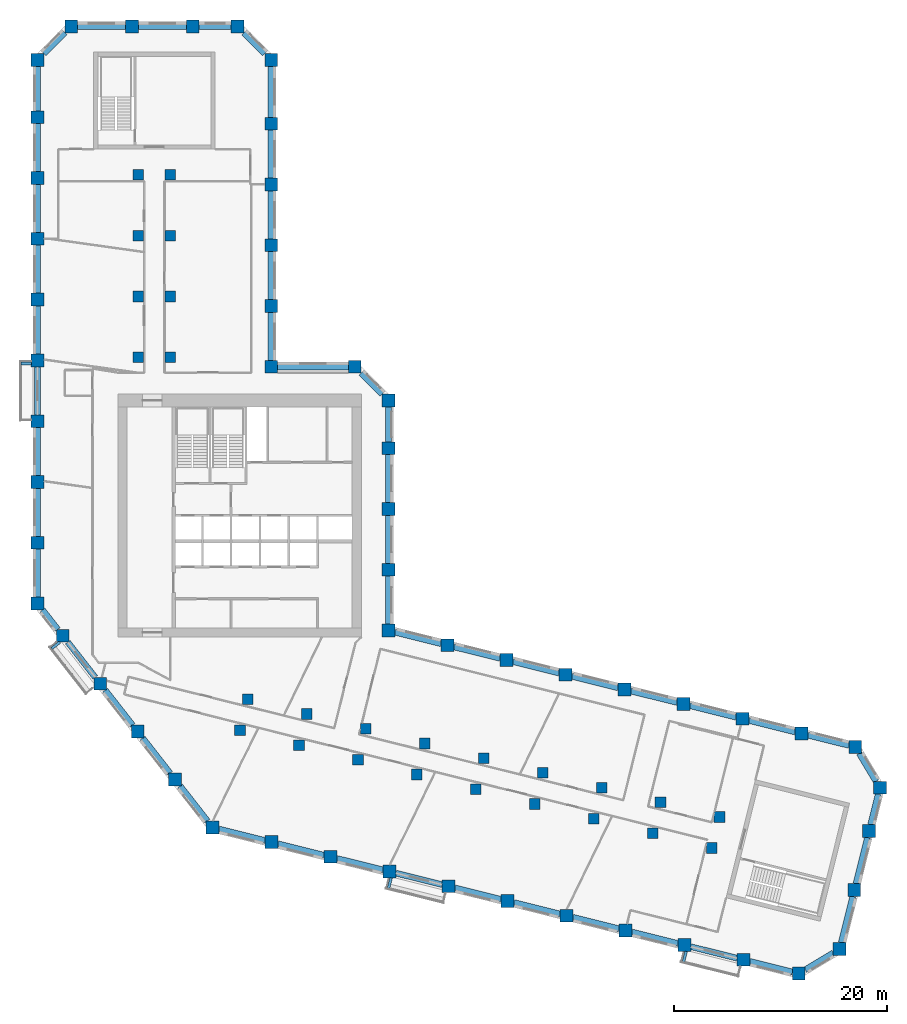
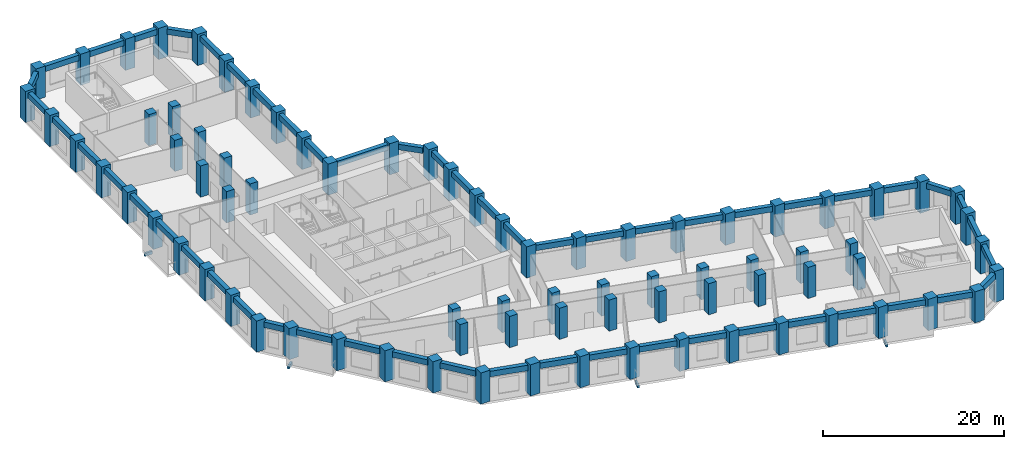
# One storey, part 1 of 10: 79 columns, 57 beams.
"""IFC4 building model written with IfcOpenShell, lengths in metres."""

from ifc_helpers import new_model, si_unit, direction, frame, origin, origin_2d, place, context, subcontext, project, spatial, rectangle, extrude, material, material_profile, profile_set, type_object, element, save


model = new_model("IFC4")

# Units and contexts
model_context = context("Model", 3, precision=1e-05, world=origin(), true_north=direction((0.0, 1.0)))
body_context = subcontext(model_context, "Body", "Model", "MODEL_VIEW")
ifc_project = project(units=[si_unit("LENGTHUNIT", "METRE"), si_unit("AREAUNIT", "SQUARE_METRE"), si_unit("VOLUMEUNIT", "CUBIC_METRE"), si_unit("PLANEANGLEUNIT", "RADIAN"), si_unit("MASSUNIT", "GRAM", prefix="KILO")], contexts=[model_context])

# Site, building, storey
site_placement = place(None, origin())
site = spatial("IfcSite", under=ifc_project, at=site_placement, CompositionType="ELEMENT")
building_placement = place(site_placement, origin())
building = spatial("IfcBuilding", under=site, at=building_placement, Name="Meshkara Civic Tower", CompositionType="ELEMENT")
storey_placement = place(building_placement, frame((0.0, 0.0, 190.800048828125)))
storey = spatial("IfcBuildingStorey", under=building, at=storey_placement, Name="L43", CompositionType="ELEMENT", Elevation=190.800048828125)

# Columns
ifc_material_1 = material(Name="Concrete C70", Category="concrete")
ifc_material_profile_1 = material_profile(ifc_material_1, rectangle(XDim=1.0, YDim=1.0, at=origin_2d()))
ifc_profile_set_1 = profile_set([ifc_material_profile_1], Name="Concrete C70")
column_type_1 = type_object("IfcColumnType", Name="Interior column RC 1000x1000 C70", PredefinedType="COLUMN", material=ifc_profile_set_1)
for number, where, z_axis, x_axis, name in (
    (1, (9.89990234375, 40.35009765625, 0.0), (0.0, 0.0, 1.0), (1.0, 0.0, 0.0), "Column SA1-04 L43"),
    (2, (9.89990234375, 46.050048828125, 0.0), (0.0, 0.0, 1.0), (1.0, 0.0, 0.0), "Column SA1-05 L43"),
    (3, (9.89990234375, 51.75, 0.0), (0.0, 0.0, 1.0), (1.0, 0.0, 0.0), "Column SA1-06 L43"),
    (4, (9.89990234375, 57.449951171875, 0.0), (0.0, 0.0, 1.0), (1.0, 0.0, 0.0), "Column SA1-07 L43"),
    (5, (12.89990234375, 40.35009765625, 0.0), (0.0, 0.0, 1.0), (1.0, 0.0, 0.0), "Column SA2-04 L43"),
    (6, (12.89990234375, 46.050048828125, 0.0), (0.0, 0.0, 1.0), (1.0, 0.0, 0.0), "Column SA2-05 L43"),
    (7, (12.89990234375, 51.75, 0.0), (0.0, 0.0, 1.0), (1.0, 0.0, 0.0), "Column SA2-06 L43"),
    (8, (12.89990234375, 57.449951171875, 0.0), (0.0, 0.0, 1.0), (1.0, 0.0, 0.0), "Column SA2-07 L43"),
    (9, (19.424072265625, 5.360107421875, 0.0), (0.0, 0.0, 1.0), (1.0, 0.0, 0.0), "Column SB1-00 L43"),
    (10, (24.9541015625, 3.98095703125, 0.0), (0.0, 0.0, 1.0), (1.0, 0.0, 0.0), "Column SB1-01 L43"),
    (11, (30.485107421875, 2.60205078125, 0.0), (0.0, 0.0, 1.0), (1.0, 0.0, 0.0), "Column SB1-02 L43"),
    (12, (36.01611328125, 1.222900390625, 0.0), (0.0, 0.0, 1.0), (1.0, 0.0, 0.0), "Column SB1-03 L43"),
    (13, (41.5458984375, -0.156005859375, 0.0), (0.0, 0.0, 1.0), (1.0, 0.0, 0.0), "Column SB1-04 L43"),
    (14, (47.076904296875, -1.534912109375, 0.0), (0.0, 0.0, 1.0), (1.0, 0.0, 0.0), "Column SB1-05 L43"),
    (15, (52.60791015625, -2.9140625, 0.0), (0.0, 0.0, 1.0), (1.0, 0.0, 0.0), "Column SB1-06 L43"),
    (16, (58.138916015625, -4.2919921875, 0.0), (0.0, 0.0, 1.0), (1.0, 0.0, 0.0), "Column SB1-07 L43"),
    (17, (63.6689453125, -5.6708984375, 0.0), (0.0, 0.0, 1.0), (1.0, 0.0, 0.0), "Column SB1-08 L43"),
    (18, (20.14892578125, 8.27099609375, 0.0), (0.0, 0.0, 1.0), (1.0, 0.0, 0.0), "Column SB2-00 L43"),
    (19, (25.679931640625, 6.89208984375, 0.0), (0.0, 0.0, 1.0), (1.0, 0.0, 0.0), "Column SB2-01 L43"),
    (20, (31.2109375, 5.512939453125, 0.0), (0.0, 0.0, 1.0), (1.0, 0.0, 0.0), "Column SB2-02 L43"),
    (21, (36.741943359375, 4.134033203125, 0.0), (0.0, 0.0, 1.0), (1.0, 0.0, 0.0), "Column SB2-03 L43"),
    (22, (42.27197265625, 2.7548828125, 0.0), (0.0, 0.0, 1.0), (1.0, 0.0, 0.0), "Column SB2-04 L43"),
    (23, (47.802978515625, 1.3759765625, 0.0), (0.0, 0.0, 1.0), (1.0, 0.0, 0.0), "Column SB2-05 L43"),
    (24, (53.333984375, -0.0029296875, 0.0), (0.0, 0.0, 1.0), (1.0, 0.0, 0.0), "Column SB2-06 L43"),
    (25, (58.864013671875, -1.382080078125, 0.0), (0.0, 0.0, 1.0), (1.0, 0.0, 0.0), "Column SB2-07 L43"),
    (26, (64.39501953125, -2.760986328125, 0.0), (0.0, 0.0, 1.0), (1.0, 0.0, 0.0), "Column SB2-08 L43"),
):
    element("IfcColumn", number, at=place(storey_placement, frame(where, z_axis=z_axis, x_axis=x_axis)), inside=storey, type_object=column_type_1, Name=name, PredefinedType="COLUMN", context=body_context, shape_type="SweptSolid", body=[
        extrude(rectangle(XDim=1.0, YDim=1.0, at=origin_2d()), origin(), (0.0, 0.0, 1.0), 4.199951171875),
    ])
ifc_material_2 = material(Name="Concrete C70", Category="concrete")
ifc_material_profile_2 = material_profile(ifc_material_2, rectangle(XDim=1.199951171875, YDim=1.199951171875, at=origin_2d()))
ifc_profile_set_2 = profile_set([ifc_material_profile_2], Name="Concrete C70")
column_type_2 = type_object("IfcColumnType", Name="Perimeter column RC 1200x1200 C70", PredefinedType="COLUMN", material=ifc_profile_set_2)
for number, where, z_axis, x_axis, name in (
    (27, (33.35009765625, 14.718994140625, 0.0), (0.0, 0.0, 1.0), (1.0, 0.0, 0.0), "Column HE00 L43"),
    (28, (33.35009765625, 20.4189453125, 0.0), (0.0, 0.0, 1.0), (1.0, 0.0, 0.0), "Column HE01 L43"),
    (29, (33.35009765625, 26.118896484375, 0.0), (0.0, 0.0, 1.0), (1.0, 0.0, 0.0), "Column HE02 L43"),
    (30, (33.35009765625, 31.819091796875, 0.0), (0.0, 0.0, 1.0), (1.0, 0.0, 0.0), "Column HE03 L43"),
    (31, (33.35009765625, 36.2939453125, 0.0), (0.0, 0.0, 1.0), (1.0, 0.0, 0.0), "Column HEE L43"),
    (32, (30.194091796875, 39.449951171875, 0.0), (0.0, 0.0, 1.0), (1.0, 0.0, 0.0), "Column HCeE L43"),
    (33, (22.35009765625, 39.449951171875, 0.0), (0.0, 0.0, 1.0), (1.0, 0.0, 0.0), "Column HN00 L43"),
    (34, (22.35009765625, 45.14990234375, 0.0), (0.0, 0.0, 1.0), (1.0, 0.0, 0.0), "Column AE01 L43"),
    (35, (22.35009765625, 50.85009765625, 0.0), (0.0, 0.0, 1.0), (1.0, 0.0, 0.0), "Column AE02 L43"),
    (36, (22.35009765625, 56.550048828125, 0.0), (0.0, 0.0, 1.0), (1.0, 0.0, 0.0), "Column AE03 L43"),
    (37, (22.35009765625, 62.25, 0.0), (0.0, 0.0, 1.0), (1.0, 0.0, 0.0), "Column AE04 L43"),
    (38, (22.35009765625, 68.214111328125, 0.0), (0.0, 0.0, 1.0), (1.0, 0.0, 0.0), "Column AEEP2 L43"),
    (39, (19.194091796875, 71.3701171875, 0.0), (0.0, 0.0, 1.0), (1.0, 0.0, 0.0), "Column ATiEP2 L43"),
    (40, (3.60595703125, 71.3701171875, 0.0), (0.0, 0.0, 1.0), (1.0, 0.0, 0.0), "Column AT00-P2 L43"),
    (41, (9.305908203125, 71.3701171875, 0.0), (0.0, 0.0, 1.0), (1.0, 0.0, 0.0), "Column AT01-P2 L43"),
    (42, (15.006103515625, 71.3701171875, 0.0), (0.0, 0.0, 1.0), (1.0, 0.0, 0.0), "Column AT02-P2 L43"),
    (43, (0.449951171875, 68.214111328125, 0.0), (0.0, 0.0, 1.0), (1.0, 0.0, 0.0), "Column ATo00-P2 L43"),
    (44, (0.449951171875, 17.2548828125, 0.0), (0.0, 0.0, 1.0), (1.0, 0.0, 0.0), "Column AW00 L43"),
    (45, (0.449951171875, 22.955078125, 0.0), (0.0, 0.0, 1.0), (1.0, 0.0, 0.0), "Column AW01 L43"),
    (46, (0.449951171875, 28.655029296875, 0.0), (0.0, 0.0, 1.0), (1.0, 0.0, 0.0), "Column AW02 L43"),
    (47, (0.449951171875, 34.35498046875, 0.0), (0.0, 0.0, 1.0), (1.0, 0.0, 0.0), "Column AW03 L43"),
    (48, (0.449951171875, 40.054931640625, 0.0), (0.0, 0.0, 1.0), (1.0, 0.0, 0.0), "Column AW04 L43"),
    (49, (0.449951171875, 45.7548828125, 0.0), (0.0, 0.0, 1.0), (1.0, 0.0, 0.0), "Column AW05 L43"),
    (50, (0.449951171875, 51.455078125, 0.0), (0.0, 0.0, 1.0), (1.0, 0.0, 0.0), "Column AW06 L43"),
    (51, (0.449951171875, 57.155029296875, 0.0), (0.0, 0.0, 1.0), (1.0, 0.0, 0.0), "Column AW07 L43"),
    (52, (0.449951171875, 62.85498046875, 0.0), (0.0, 0.0, 1.0), (1.0, 0.0, 0.0), "Column AW08 L43"),
    (53, (16.85107421875, -3.738037109375, 0.0), (0.0, 0.0, 1.0), (1.0, 0.0, 0.0), "Column BOW00 L43"),
    (54, (13.342041015625, 0.75390625, 0.0), (0.0, 0.0, 1.0), (1.0, 0.0, 0.0), "Column BOW01 L43"),
    (55, (9.8330078125, 5.2451171875, 0.0), (0.0, 0.0, 1.0), (1.0, 0.0, 0.0), "Column BOW02 L43"),
    (56, (6.322998046875, 9.737060546875, 0.0), (0.0, 0.0, 1.0), (1.0, 0.0, 0.0), "Column BOW03 L43"),
    (57, (2.81396484375, 14.22900390625, 0.0), (0.0, 0.0, 1.0), (1.0, 0.0, 0.0), "Column BOW04 L43"),
    (58, (22.382080078125, -5.116943359375, 0.0), (0.0, 0.0, 1.0), (1.0, 0.0, 0.0), "Column BS01 L43"),
    (59, (27.912109375, -6.49609375, 0.0), (0.0, 0.0, 1.0), (1.0, 0.0, 0.0), "Column BS02 L43"),
    (60, (33.443115234375, -7.875, 0.0), (0.0, 0.0, 1.0), (1.0, 0.0, 0.0), "Column BS03 L43"),
    (61, (38.97412109375, -9.2529296875, 0.0), (0.0, 0.0, 1.0), (1.0, 0.0, 0.0), "Column BS04-P1 L43"),
    (62, (44.5048828125, -10.632080078125, 0.0), (0.0, 0.0, 1.0), (1.0, 0.0, 0.0), "Column BS05 L43"),
    (63, (50.034912109375, -12.010986328125, 0.0), (0.0, 0.0, 1.0), (1.0, 0.0, 0.0), "Column BS06 L43"),
    (64, (55.56591796875, -13.389892578125, 0.0), (0.0, 0.0, 1.0), (1.0, 0.0, 0.0), "Column BS07 L43"),
    (65, (61.096923828125, -14.76904296875, 0.0), (0.0, 0.0, 1.0), (1.0, 0.0, 0.0), "Column BS08 L43"),
    (66, (66.626953125, -16.14794921875, 0.0), (0.0, 0.0, 1.0), (1.0, 0.0, 0.0), "Column BS09 L43"),
    (67, (71.826904296875, -17.444091796875, 0.0), (0.0, 0.0, 1.0), (1.0, 0.0, 0.0), "Column BSEP2 L43"),
    (68, (75.653076171875, -15.14501953125, 0.0), (0.0, 0.0, 1.0), (1.0, 0.0, 0.0), "Column BToEP2 L43"),
    (69, (77.031982421875, -9.614013671875, 0.0), (0.0, 0.0, 1.0), (1.0, 0.0, 0.0), "Column BT01-P2 L43"),
    (70, (78.410888671875, -4.083984375, 0.0), (0.0, 0.0, 1.0), (1.0, 0.0, 0.0), "Column BT02-P2 L43"),
    (71, (79.424072265625, -0.02099609375, 0.0), (0.0, 0.0, 1.0), (1.0, 0.0, 0.0), "Column BTEP2 L43"),
    (72, (77.125, 3.803955078125, 0.0), (0.0, 0.0, 1.0), (1.0, 0.0, 0.0), "Column BTi00-P2 L43"),
    (73, (38.881103515625, 13.340087890625, 0.0), (0.0, 0.0, 1.0), (1.0, 0.0, 0.0), "Column BN01 L43"),
    (74, (44.410888671875, 11.9609375, 0.0), (0.0, 0.0, 1.0), (1.0, 0.0, 0.0), "Column BN02 L43"),
    (75, (49.94189453125, 10.58203125, 0.0), (0.0, 0.0, 1.0), (1.0, 0.0, 0.0), "Column BN03 L43"),
    (76, (55.472900390625, 9.202880859375, 0.0), (0.0, 0.0, 1.0), (1.0, 0.0, 0.0), "Column BN04 L43"),
    (77, (61.0029296875, 7.823974609375, 0.0), (0.0, 0.0, 1.0), (1.0, 0.0, 0.0), "Column BN05 L43"),
    (78, (66.533935546875, 6.445068359375, 0.0), (0.0, 0.0, 1.0), (1.0, 0.0, 0.0), "Column BN06 L43"),
    (79, (72.06494140625, 5.06591796875, 0.0), (0.0, 0.0, 1.0), (1.0, 0.0, 0.0), "Column BN07 L43"),
):
    element("IfcColumn", number, at=place(storey_placement, frame(where, z_axis=z_axis, x_axis=x_axis)), inside=storey, type_object=column_type_2, Name=name, PredefinedType="COLUMN", context=body_context, shape_type="SweptSolid", body=[
        extrude(rectangle(XDim=1.199951171875, YDim=1.199951171875, at=origin_2d()), origin(), (0.0, 0.0, 1.0), 4.199951171875),
    ])

# Beams
ifc_material_3 = material(Name="Concrete C50", Category="concrete")
ifc_material_profile_3 = material_profile(ifc_material_3, rectangle(XDim=0.25, YDim=0.39990234375, at=origin_2d()))
ifc_profile_set_3 = profile_set([ifc_material_profile_3], Name="Concrete C50")
beam_type_1 = type_object("IfcBeamType", Name="Balcony bracket beam RC 250x400 C50", PredefinedType="BEAM", material=ifc_profile_set_3)
beam_1_placement = place(storey_placement, frame((-0.14501953125, 39.7548828125, -0.5), z_axis=(-1.0, 0.0, 0.0), x_axis=(0.0, -1.0, 0.0)))
element("IfcBeam", 80, at=beam_1_placement, inside=storey, type_object=beam_type_1, Name="Balcony bracket beam", PredefinedType="BEAM", context=body_context, shape_type="SweptSolid", body=[
    extrude(rectangle(XDim=0.25, YDim=0.39990234375, at=origin_2d()), origin(), (0.0, 0.0, 1.0), 0.955078125),
])
beam_2_placement = place(storey_placement, frame((2.537109375, 13.632080078125, -0.5), z_axis=(-0.787905405849, -0.615796290533, 0.0), x_axis=(0.615796290533, -0.787905405849, 0.0)))
element("IfcBeam", 81, at=beam_2_placement, inside=storey, type_object=beam_type_1, Name="Balcony bracket beam", PredefinedType="BEAM", context=body_context, shape_type="SweptSolid", body=[
    extrude(rectangle(XDim=0.25, YDim=0.39990234375, at=origin_2d()), origin(), (0.0, 0.0, 1.0), 0.964599609375),
])
beam_3_placement = place(storey_placement, frame((33.60400390625, -8.469970703125, -0.5), z_axis=(-0.242421996939, -0.9701709001, 0.0), x_axis=(0.9701709001, -0.242421996939, 0.0)))
element("IfcBeam", 82, at=beam_3_placement, inside=storey, type_object=beam_type_1, Name="Balcony bracket beam", PredefinedType="BEAM", context=body_context, shape_type="SweptSolid", body=[
    extrude(rectangle(XDim=0.25, YDim=0.39990234375, at=origin_2d()), origin(), (0.0, 0.0, 1.0), 1.01123046875),
])
beam_4_placement = place(storey_placement, frame((61.258056640625, -15.364013671875, -0.5), z_axis=(-0.24219504991, -0.970227580416, 0.0), x_axis=(0.970227580416, -0.24219504991, 0.0)))
element("IfcBeam", 83, at=beam_4_placement, inside=storey, type_object=beam_type_1, Name="Balcony bracket beam", PredefinedType="BEAM", context=body_context, shape_type="SweptSolid", body=[
    extrude(rectangle(XDim=0.25, YDim=0.39990234375, at=origin_2d()), origin(), (0.0, 0.0, 1.0), 1.011962890625),
])
ifc_material_4 = material(Name="Concrete C60", Category="concrete")
ifc_material_profile_4 = material_profile(ifc_material_4, rectangle(XDim=0.550048828125, YDim=0.75, at=origin_2d()))
ifc_profile_set_4 = profile_set([ifc_material_profile_4], Name="Concrete C60")
beam_type_2 = type_object("IfcBeamType", Name="Spandrel beam RC 550x750 C60", PredefinedType="BEAM", material=ifc_profile_set_4)
for number, where, z_axis, x_axis, name in (
    (84, (71.469970703125, 5.21435546875, 3.52490234375), (-0.970296390995, 0.241919229543, 0.0), (-0.241919229543, -0.970296390995, 0.0), "Spandrel beam BN06-BN07"),
    (85, (65.93896484375, 6.593505859375, 3.52490234375), (-0.970309199754, 0.241867850018, 0.0), (-0.241867850018, -0.970309199754, 0.0), "Spandrel beam BN05-BN06"),
):
    element("IfcBeam", number, at=place(storey_placement, frame(where, z_axis=z_axis, x_axis=x_axis)), inside=storey, type_object=beam_type_2, Name=name, PredefinedType="BEAM", context=body_context, shape_type="SweptSolid", body=[
        extrude(rectangle(XDim=0.550048828125, YDim=0.75, at=origin_2d()), origin(), (0.0, 0.0, 1.0), 4.4736328125),
    ])
beam_5_placement = place(storey_placement, frame((60.407958984375, 7.972412109375, 3.52490234375), z_axis=(-0.970283611566, 0.241970479865, 0.0), x_axis=(-0.241970479865, -0.970283611566, 0.0)))
element("IfcBeam", 86, at=beam_5_placement, inside=storey, type_object=beam_type_2, Name="Spandrel beam BN04-BN05", PredefinedType="BEAM", context=body_context, shape_type="SweptSolid", body=[
    extrude(rectangle(XDim=0.550048828125, YDim=0.75, at=origin_2d()), origin(), (0.0, 0.0, 1.0), 4.47265625),
])
for number, where, z_axis, x_axis, name in (
    (87, (54.8779296875, 9.351318359375, 3.52490234375), (-0.970296390995, 0.241919229543, 0.0), (-0.241919229543, -0.970296390995, 0.0), "Spandrel beam BN03-BN04"),
    (88, (49.346923828125, 10.73046875, 3.52490234375), (-0.970309199754, 0.241867850018, 0.0), (-0.241867850018, -0.970309199754, 0.0), "Spandrel beam BN02-BN03"),
):
    element("IfcBeam", number, at=place(storey_placement, frame(where, z_axis=z_axis, x_axis=x_axis)), inside=storey, type_object=beam_type_2, Name=name, PredefinedType="BEAM", context=body_context, shape_type="SweptSolid", body=[
        extrude(rectangle(XDim=0.550048828125, YDim=0.75, at=origin_2d()), origin(), (0.0, 0.0, 1.0), 4.4736328125),
    ])
beam_6_placement = place(storey_placement, frame((43.81591796875, 12.109375, 3.52490234375), z_axis=(-0.970283611566, 0.241970479865, 0.0), x_axis=(-0.241970479865, -0.970283611566, 0.0)))
element("IfcBeam", 89, at=beam_6_placement, inside=storey, type_object=beam_type_2, Name="Spandrel beam BN01-BN02", PredefinedType="BEAM", context=body_context, shape_type="SweptSolid", body=[
    extrude(rectangle(XDim=0.550048828125, YDim=0.75, at=origin_2d()), origin(), (0.0, 0.0, 1.0), 4.47265625),
])
beam_7_placement = place(storey_placement, frame((38.285888671875, 13.48828125, 3.52490234375), z_axis=(-0.970296390995, 0.241919229543, 0.0), x_axis=(-0.241919229543, -0.970296390995, 0.0)))
element("IfcBeam", 90, at=beam_7_placement, inside=storey, type_object=beam_type_2, Name="Spandrel beam BN01-HE00", PredefinedType="BEAM", context=body_context, shape_type="SweptSolid", body=[
    extrude(rectangle(XDim=0.550048828125, YDim=0.75, at=origin_2d()), origin(), (0.0, 0.0, 1.0), 4.4736328125),
])
for number, where, z_axis, x_axis, name in (
    (91, (33.35009765625, 15.31396484375, 3.52490234375), (0.0, 1.0, 0.0), (-1.0, 0.0, 0.0), "Spandrel beam HE00-HE01"),
    (92, (33.35009765625, 21.013916015625, 3.52490234375), (0.0, 1.0, 0.0), (-1.0, 0.0, 0.0), "Spandrel beam HE01-HE02"),
    (93, (33.35009765625, 26.714111328125, 3.52490234375), (0.0, 1.0, 0.0), (-1.0, 0.0, 0.0), "Spandrel beam HE02-HE03"),
):
    element("IfcBeam", number, at=place(storey_placement, frame(where, z_axis=z_axis, x_axis=x_axis)), inside=storey, type_object=beam_type_2, Name=name, PredefinedType="BEAM", context=body_context, shape_type="SweptSolid", body=[
        extrude(rectangle(XDim=0.550048828125, YDim=0.75, at=origin_2d()), origin(), (0.0, 0.0, 1.0), 4.510009765625),
    ])
beam_8_placement = place(storey_placement, frame((33.35009765625, 32.4140625, 3.52490234375), z_axis=(0.0, 1.0, 0.0), x_axis=(-1.0, 0.0, 0.0)))
element("IfcBeam", 94, at=beam_8_placement, inside=storey, type_object=beam_type_2, Name="Spandrel beam HE03-HEE", PredefinedType="BEAM", context=body_context, shape_type="SweptSolid", body=[
    extrude(rectangle(XDim=0.550048828125, YDim=0.75, at=origin_2d()), origin(), (0.0, 0.0, 1.0), 3.284912109375),
])
beam_9_placement = place(storey_placement, frame((32.75341796875, 36.890380859375, 3.52490234375), z_axis=(-0.707062808252, 0.707150751387, 0.0), x_axis=(-0.707150751387, -0.707062808252, 0.0)))
element("IfcBeam", 95, at=beam_9_placement, inside=storey, type_object=beam_type_2, Name="Spandrel beam HCeE-HEE", PredefinedType="BEAM", context=body_context, shape_type="SweptSolid", body=[
    extrude(rectangle(XDim=0.550048828125, YDim=0.75, at=origin_2d()), origin(), (0.0, 0.0, 1.0), 2.776123046875),
])
beam_10_placement = place(storey_placement, frame((29.59912109375, 39.449951171875, 3.52490234375), z_axis=(-1.0, 0.0, 0.0), x_axis=(0.0, -1.0, 0.0)))
element("IfcBeam", 96, at=beam_10_placement, inside=storey, type_object=beam_type_2, Name="Spandrel beam HCeE-HN00", PredefinedType="BEAM", context=body_context, shape_type="SweptSolid", body=[
    extrude(rectangle(XDim=0.550048828125, YDim=0.75, at=origin_2d()), origin(), (0.0, 0.0, 1.0), 6.654052734375),
])
beam_11_placement = place(storey_placement, frame((22.35009765625, 40.044921875, 3.52490234375), z_axis=(0.0, 1.0, 0.0), x_axis=(-1.0, 0.0, 0.0)))
element("IfcBeam", 97, at=beam_11_placement, inside=storey, type_object=beam_type_2, Name="Spandrel beam AE01-HN00", PredefinedType="BEAM", context=body_context, shape_type="SweptSolid", body=[
    extrude(rectangle(XDim=0.550048828125, YDim=0.75, at=origin_2d()), origin(), (0.0, 0.0, 1.0), 4.510009765625),
])
beam_12_placement = place(storey_placement, frame((22.35009765625, 45.7451171875, 3.52490234375), z_axis=(0.0, 1.0, 0.0), x_axis=(-1.0, 0.0, 0.0)))
element("IfcBeam", 98, at=beam_12_placement, inside=storey, type_object=beam_type_2, Name="Spandrel beam AE01-AE02", PredefinedType="BEAM", context=body_context, shape_type="SweptSolid", body=[
    extrude(rectangle(XDim=0.550048828125, YDim=0.75, at=origin_2d()), origin(), (0.0, 0.0, 1.0), 4.509765625),
])
for number, where, z_axis, x_axis, name in (
    (99, (22.35009765625, 51.445068359375, 3.52490234375), (0.0, 1.0, 0.0), (-1.0, 0.0, 0.0), "Spandrel beam AE02-AE03"),
    (100, (22.35009765625, 57.14501953125, 3.52490234375), (0.0, 1.0, 0.0), (-1.0, 0.0, 0.0), "Spandrel beam AE03-AE04"),
):
    element("IfcBeam", number, at=place(storey_placement, frame(where, z_axis=z_axis, x_axis=x_axis)), inside=storey, type_object=beam_type_2, Name=name, PredefinedType="BEAM", context=body_context, shape_type="SweptSolid", body=[
        extrude(rectangle(XDim=0.550048828125, YDim=0.75, at=origin_2d()), origin(), (0.0, 0.0, 1.0), 4.510009765625),
    ])
beam_13_placement = place(storey_placement, frame((22.35009765625, 62.844970703125, 3.52490234375), z_axis=(0.0, 1.0, 0.0), x_axis=(-1.0, 0.0, 0.0)))
element("IfcBeam", 101, at=beam_13_placement, inside=storey, type_object=beam_type_2, Name="Spandrel beam AE04-AEEP2", PredefinedType="BEAM", context=body_context, shape_type="SweptSolid", body=[
    extrude(rectangle(XDim=0.550048828125, YDim=0.75, at=origin_2d()), origin(), (0.0, 0.0, 1.0), 4.77392578125),
])
beam_14_placement = place(storey_placement, frame((21.75341796875, 68.810546875, 3.52490234375), z_axis=(-0.707106781187, 0.707106781187, 0.0), x_axis=(-0.707106781187, -0.707106781187, 0.0)))
element("IfcBeam", 102, at=beam_14_placement, inside=storey, type_object=beam_type_2, Name="Spandrel beam AEEP2-ATiEP2", PredefinedType="BEAM", context=body_context, shape_type="SweptSolid", body=[
    extrude(rectangle(XDim=0.550048828125, YDim=0.75, at=origin_2d()), origin(), (0.0, 0.0, 1.0), 2.77587890625),
])
beam_15_placement = place(storey_placement, frame((18.59912109375, 71.3701171875, 3.52490234375), z_axis=(-1.0, 0.0, 0.0), x_axis=(0.0, -1.0, 0.0)))
element("IfcBeam", 103, at=beam_15_placement, inside=storey, type_object=beam_type_2, Name="Spandrel beam AT02-P2-ATiEP2", PredefinedType="BEAM", context=body_context, shape_type="SweptSolid", body=[
    extrude(rectangle(XDim=0.550048828125, YDim=0.75, at=origin_2d()), origin(), (0.0, 0.0, 1.0), 2.998046875),
])
for number, where, z_axis, x_axis, name in (
    (104, (14.410888671875, 71.3701171875, 3.52490234375), (-1.0, 0.0, 0.0), (0.0, -1.0, 0.0), "Spandrel beam AT01-P2-AT02-P2"),
    (105, (8.7109375, 71.3701171875, 3.52490234375), (-1.0, 0.0, 0.0), (0.0, -1.0, 0.0), "Spandrel beam AT00-P2-AT01-P2"),
):
    element("IfcBeam", number, at=place(storey_placement, frame(where, z_axis=z_axis, x_axis=x_axis)), inside=storey, type_object=beam_type_2, Name=name, PredefinedType="BEAM", context=body_context, shape_type="SweptSolid", body=[
        extrude(rectangle(XDim=0.550048828125, YDim=0.75, at=origin_2d()), origin(), (0.0, 0.0, 1.0), 4.510009765625),
    ])
beam_16_placement = place(storey_placement, frame((3.009521484375, 70.7734375, 3.52490234375), z_axis=(-0.707150751387, -0.707062808252, 0.0), x_axis=(0.707062808252, -0.707150751387, 0.0)))
element("IfcBeam", 106, at=beam_16_placement, inside=storey, type_object=beam_type_2, Name="Spandrel beam AT00-P2-ATo00-P2", PredefinedType="BEAM", context=body_context, shape_type="SweptSolid", body=[
    extrude(rectangle(XDim=0.550048828125, YDim=0.75, at=origin_2d()), origin(), (0.0, 0.0, 1.0), 2.776123046875),
])
beam_17_placement = place(storey_placement, frame((0.449951171875, 67.618896484375, 3.52490234375), z_axis=(0.0, -1.0, 0.0), x_axis=(1.0, 0.0, 0.0)))
element("IfcBeam", 107, at=beam_17_placement, inside=storey, type_object=beam_type_2, Name="Spandrel beam ATo00-P2-AW08", PredefinedType="BEAM", context=body_context, shape_type="SweptSolid", body=[
    extrude(rectangle(XDim=0.550048828125, YDim=0.75, at=origin_2d()), origin(), (0.0, 0.0, 1.0), 4.1689453125),
])
for number, where, z_axis, x_axis, name in (
    (108, (0.449951171875, 62.260009765625, 3.52490234375), (0.0, -1.0, 0.0), (1.0, 0.0, 0.0), "Spandrel beam AW07-AW08"),
    (109, (0.449951171875, 56.56005859375, 3.52490234375), (0.0, -1.0, 0.0), (1.0, 0.0, 0.0), "Spandrel beam AW06-AW07"),
    (110, (0.449951171875, 50.860107421875, 3.52490234375), (0.0, -1.0, 0.0), (1.0, 0.0, 0.0), "Spandrel beam AW05-AW06"),
    (111, (0.449951171875, 45.159912109375, 3.52490234375), (0.0, -1.0, 0.0), (1.0, 0.0, 0.0), "Spandrel beam AW04-AW05"),
    (112, (0.449951171875, 39.4599609375, 3.52490234375), (0.0, -1.0, 0.0), (1.0, 0.0, 0.0), "Spandrel beam AW03-AW04"),
    (113, (0.449951171875, 33.760009765625, 3.52490234375), (0.0, -1.0, 0.0), (1.0, 0.0, 0.0), "Spandrel beam AW02-AW03"),
    (114, (0.449951171875, 28.06005859375, 3.52490234375), (0.0, -1.0, 0.0), (1.0, 0.0, 0.0), "Spandrel beam AW01-AW02"),
    (115, (0.449951171875, 22.360107421875, 3.52490234375), (0.0, -1.0, 0.0), (1.0, 0.0, 0.0), "Spandrel beam AW00-AW01"),
):
    element("IfcBeam", number, at=place(storey_placement, frame(where, z_axis=z_axis, x_axis=x_axis)), inside=storey, type_object=beam_type_2, Name=name, PredefinedType="BEAM", context=body_context, shape_type="SweptSolid", body=[
        extrude(rectangle(XDim=0.550048828125, YDim=0.75, at=origin_2d()), origin(), (0.0, 0.0, 1.0), 4.510009765625),
    ])
beam_18_placement = place(storey_placement, frame((0.915771484375, 16.658935546875, 3.52490234375), z_axis=(0.615646077935, -0.788022783124, 0.0), x_axis=(0.788022783124, 0.615646077935, 0.0)))
element("IfcBeam", 116, at=beam_18_placement, inside=storey, type_object=beam_type_2, Name="Spandrel beam AW00-BOW04", PredefinedType="BEAM", context=body_context, shape_type="SweptSolid", body=[
    extrude(rectangle(XDim=0.550048828125, YDim=0.75, at=origin_2d()), origin(), (0.0, 0.0, 1.0), 2.326904296875),
])
beam_19_placement = place(storey_placement, frame((3.279541015625, 13.6328125, 3.52490234375), z_axis=(0.615630464754, -0.788034980738, 0.0), x_axis=(0.788034980738, 0.615630464754, 0.0)))
element("IfcBeam", 117, at=beam_19_placement, inside=storey, type_object=beam_type_2, Name="Spandrel beam BOW03-BOW04", PredefinedType="BEAM", context=body_context, shape_type="SweptSolid", body=[
    extrude(rectangle(XDim=0.550048828125, YDim=0.75, at=origin_2d()), origin(), (0.0, 0.0, 1.0), 4.1875),
])
beam_20_placement = place(storey_placement, frame((6.788818359375, 9.140869140625, 3.52490234375), z_axis=(0.61570287025, -0.787978410596, 0.0), x_axis=(0.787978410596, 0.61570287025, 0.0)))
element("IfcBeam", 118, at=beam_20_placement, inside=storey, type_object=beam_type_2, Name="Spandrel beam BOW02-BOW03", PredefinedType="BEAM", context=body_context, shape_type="SweptSolid", body=[
    extrude(rectangle(XDim=0.550048828125, YDim=0.75, at=origin_2d()), origin(), (0.0, 0.0, 1.0), 4.187744140625),
])
beam_21_placement = place(storey_placement, frame((10.298583984375, 4.64892578125, 3.52490234375), z_axis=(0.615707413829, -0.787974860358, 0.0), x_axis=(0.787974860358, 0.615707413829, 0.0)))
element("IfcBeam", 119, at=beam_21_placement, inside=storey, type_object=beam_type_2, Name="Spandrel beam BOW01-BOW02", PredefinedType="BEAM", context=body_context, shape_type="SweptSolid", body=[
    extrude(rectangle(XDim=0.550048828125, YDim=0.75, at=origin_2d()), origin(), (0.0, 0.0, 1.0), 4.1865234375),
])
beam_22_placement = place(storey_placement, frame((13.8076171875, 0.157958984375, 3.52490234375), z_axis=(0.615630464754, -0.788034980738, 0.0), x_axis=(0.788034980738, 0.615630464754, 0.0)))
element("IfcBeam", 120, at=beam_22_placement, inside=storey, type_object=beam_type_2, Name="Spandrel beam BOW00-BOW01", PredefinedType="BEAM", context=body_context, shape_type="SweptSolid", body=[
    extrude(rectangle(XDim=0.550048828125, YDim=0.75, at=origin_2d()), origin(), (0.0, 0.0, 1.0), 4.1875),
])
beam_23_placement = place(storey_placement, frame((17.446044921875, -3.886474609375, 3.52490234375), z_axis=(0.970309199754, -0.241867850018, 0.0), x_axis=(0.241867850018, 0.970309199754, 0.0)))
element("IfcBeam", 121, at=beam_23_placement, inside=storey, type_object=beam_type_2, Name="Spandrel beam BOW00-BS01", PredefinedType="BEAM", context=body_context, shape_type="SweptSolid", body=[
    extrude(rectangle(XDim=0.550048828125, YDim=0.75, at=origin_2d()), origin(), (0.0, 0.0, 1.0), 4.4736328125),
])
beam_24_placement = place(storey_placement, frame((22.97705078125, -5.265380859375, 3.52490234375), z_axis=(0.970283611566, -0.241970479865, 0.0), x_axis=(0.241970479865, 0.970283611566, 0.0)))
element("IfcBeam", 122, at=beam_24_placement, inside=storey, type_object=beam_type_2, Name="Spandrel beam BS01-BS02", PredefinedType="BEAM", context=body_context, shape_type="SweptSolid", body=[
    extrude(rectangle(XDim=0.550048828125, YDim=0.75, at=origin_2d()), origin(), (0.0, 0.0, 1.0), 4.47265625),
])
for number, where, z_axis, x_axis, name in (
    (123, (28.507080078125, -6.644287109375, 3.52490234375), (0.970296390995, -0.241919229543, 0.0), (0.241919229543, 0.970296390995, 0.0), "Spandrel beam BS02-BS03"),
    (124, (34.0380859375, -8.023193359375, 3.52490234375), (0.970334810126, -0.241765084863, 0.0), (0.241765084863, 0.970334810126, 0.0), "Spandrel beam BS03-BS04-P1"),
    (125, (39.569091796875, -9.4013671875, 3.52490234375), (0.970296390995, -0.241919229543, 0.0), (0.241919229543, 0.970296390995, 0.0), "Spandrel beam BS04-P1-BS05"),
):
    element("IfcBeam", number, at=place(storey_placement, frame(where, z_axis=z_axis, x_axis=x_axis)), inside=storey, type_object=beam_type_2, Name=name, PredefinedType="BEAM", context=body_context, shape_type="SweptSolid", body=[
        extrude(rectangle(XDim=0.550048828125, YDim=0.75, at=origin_2d()), origin(), (0.0, 0.0, 1.0), 4.4736328125),
    ])
beam_25_placement = place(storey_placement, frame((45.10009765625, -10.780517578125, 3.52490234375), z_axis=(0.970296425585, -0.241919090807, 0.0), x_axis=(0.241919090807, 0.970296425585, 0.0)))
element("IfcBeam", 126, at=beam_25_placement, inside=storey, type_object=beam_type_2, Name="Spandrel beam BS05-BS06", PredefinedType="BEAM", context=body_context, shape_type="SweptSolid", body=[
    extrude(rectangle(XDim=0.550048828125, YDim=0.75, at=origin_2d()), origin(), (0.0, 0.0, 1.0), 4.47265625),
])
for number, where, z_axis, x_axis, name in (
    (127, (50.630126953125, -12.159423828125, 3.52490234375), (0.970296390995, -0.241919229543, 0.0), (0.241919229543, 0.970296390995, 0.0), "Spandrel beam BS06-BS07"),
    (128, (56.1611328125, -13.538330078125, 3.52490234375), (0.970296390995, -0.241919229543, 0.0), (0.241919229543, 0.970296390995, 0.0), "Spandrel beam BS07-BS08"),
):
    element("IfcBeam", number, at=place(storey_placement, frame(where, z_axis=z_axis, x_axis=x_axis)), inside=storey, type_object=beam_type_2, Name=name, PredefinedType="BEAM", context=body_context, shape_type="SweptSolid", body=[
        extrude(rectangle(XDim=0.550048828125, YDim=0.75, at=origin_2d()), origin(), (0.0, 0.0, 1.0), 4.4736328125),
    ])
beam_26_placement = place(storey_placement, frame((61.692138671875, -14.91748046875, 3.52490234375), z_axis=(0.970296425585, -0.241919090807, 0.0), x_axis=(0.241919090807, 0.970296425585, 0.0)))
element("IfcBeam", 129, at=beam_26_placement, inside=storey, type_object=beam_type_2, Name="Spandrel beam BS08-BS09", PredefinedType="BEAM", context=body_context, shape_type="SweptSolid", body=[
    extrude(rectangle(XDim=0.550048828125, YDim=0.75, at=origin_2d()), origin(), (0.0, 0.0, 1.0), 4.47265625),
])
beam_27_placement = place(storey_placement, frame((67.22216796875, -16.29638671875, 3.52490234375), z_axis=(0.970322944839, -0.241812701731, 0.0), x_axis=(0.241812701731, 0.970322944839, 0.0)))
element("IfcBeam", 130, at=beam_27_placement, inside=storey, type_object=beam_type_2, Name="Spandrel beam BS09-BSEP2", PredefinedType="BEAM", context=body_context, shape_type="SweptSolid", body=[
    extrude(rectangle(XDim=0.550048828125, YDim=0.75, at=origin_2d()), origin(), (0.0, 0.0, 1.0), 4.13232421875),
])
beam_28_placement = place(storey_placement, frame((72.422607421875, -17.0859375, 3.52490234375), z_axis=(0.85718440509, 0.515009607358, 0.0), x_axis=(-0.515009607358, 0.85718440509, 0.0)))
element("IfcBeam", 131, at=beam_28_placement, inside=storey, type_object=beam_type_2, Name="Spandrel beam BSEP2-BToEP2", PredefinedType="BEAM", context=body_context, shape_type="SweptSolid", body=[
    extrude(rectangle(XDim=0.550048828125, YDim=0.75, at=origin_2d()), origin(), (0.0, 0.0, 1.0), 3.07373046875),
])
beam_29_placement = place(storey_placement, frame((75.801513671875, -14.5498046875, 3.52490234375), z_axis=(0.241867850018, 0.970309199754, 0.0), x_axis=(-0.970309199754, 0.241867850018, 0.0)))
element("IfcBeam", 132, at=beam_29_placement, inside=storey, type_object=beam_type_2, Name="Spandrel beam BT01-P2-BToEP2", PredefinedType="BEAM", context=body_context, shape_type="SweptSolid", body=[
    extrude(rectangle(XDim=0.550048828125, YDim=0.75, at=origin_2d()), origin(), (0.0, 0.0, 1.0), 4.4736328125),
])
beam_30_placement = place(storey_placement, frame((77.180419921875, -9.018798828125, 3.52490234375), z_axis=(0.241983295733, 0.97028041544, 0.0), x_axis=(-0.97028041544, 0.241983295733, 0.0)))
element("IfcBeam", 133, at=beam_30_placement, inside=storey, type_object=beam_type_2, Name="Spandrel beam BT01-P2-BT02-P2", PredefinedType="BEAM", context=body_context, shape_type="SweptSolid", body=[
    extrude(rectangle(XDim=0.550048828125, YDim=0.75, at=origin_2d()), origin(), (0.0, 0.0, 1.0), 4.472412109375),
])
beam_31_placement = place(storey_placement, frame((78.559326171875, -3.489013671875, 3.52490234375), z_axis=(0.241934114249, 0.970292679743, 0.0), x_axis=(-0.970292679743, 0.241934114249, 0.0)))
element("IfcBeam", 134, at=beam_31_placement, inside=storey, type_object=beam_type_2, Name="Spandrel beam BT02-P2-BTEP2", PredefinedType="BEAM", context=body_context, shape_type="SweptSolid", body=[
    extrude(rectangle(XDim=0.550048828125, YDim=0.75, at=origin_2d()), origin(), (0.0, 0.0, 1.0), 2.960693359375),
])
beam_32_placement = place(storey_placement, frame((79.06591796875, 0.57470703125, 3.52490234375), z_axis=(-0.515126606613, 0.857114099265, 0.0), x_axis=(-0.857114099265, -0.515126606613, 0.0)))
element("IfcBeam", 135, at=beam_32_placement, inside=storey, type_object=beam_type_2, Name="Spandrel beam BTEP2-BTi00-P2", PredefinedType="BEAM", context=body_context, shape_type="SweptSolid", body=[
    extrude(rectangle(XDim=0.550048828125, YDim=0.75, at=origin_2d()), origin(), (0.0, 0.0, 1.0), 3.072509765625),
])
beam_33_placement = place(storey_placement, frame((76.52978515625, 3.952392578125, 3.52490234375), z_axis=(-0.970279182293, 0.241988240227, 0.0), x_axis=(-0.241988240227, -0.970279182293, 0.0)))
element("IfcBeam", 136, at=beam_33_placement, inside=storey, type_object=beam_type_2, Name="Spandrel beam BN07-BTi00-P2", PredefinedType="BEAM", context=body_context, shape_type="SweptSolid", body=[
    extrude(rectangle(XDim=0.550048828125, YDim=0.75, at=origin_2d()), origin(), (0.0, 0.0, 1.0), 3.98828125),
])

save(model, "model.ifc")
